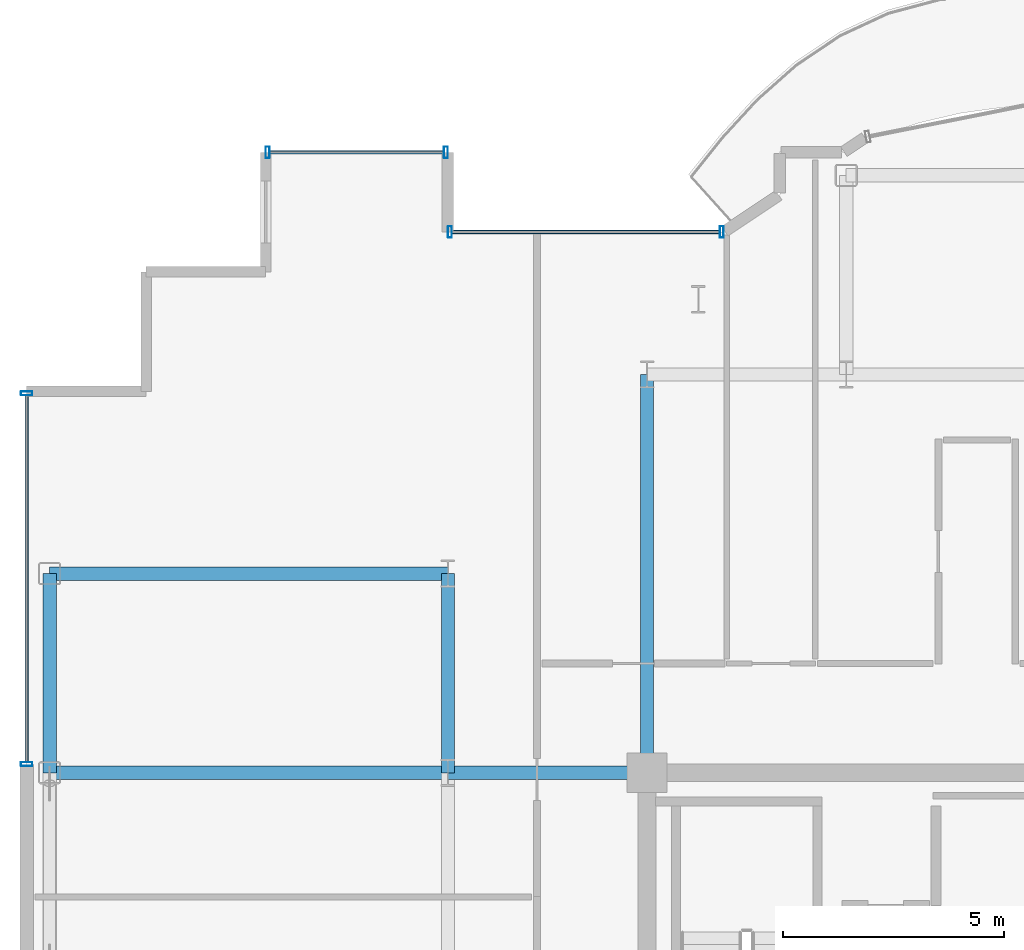
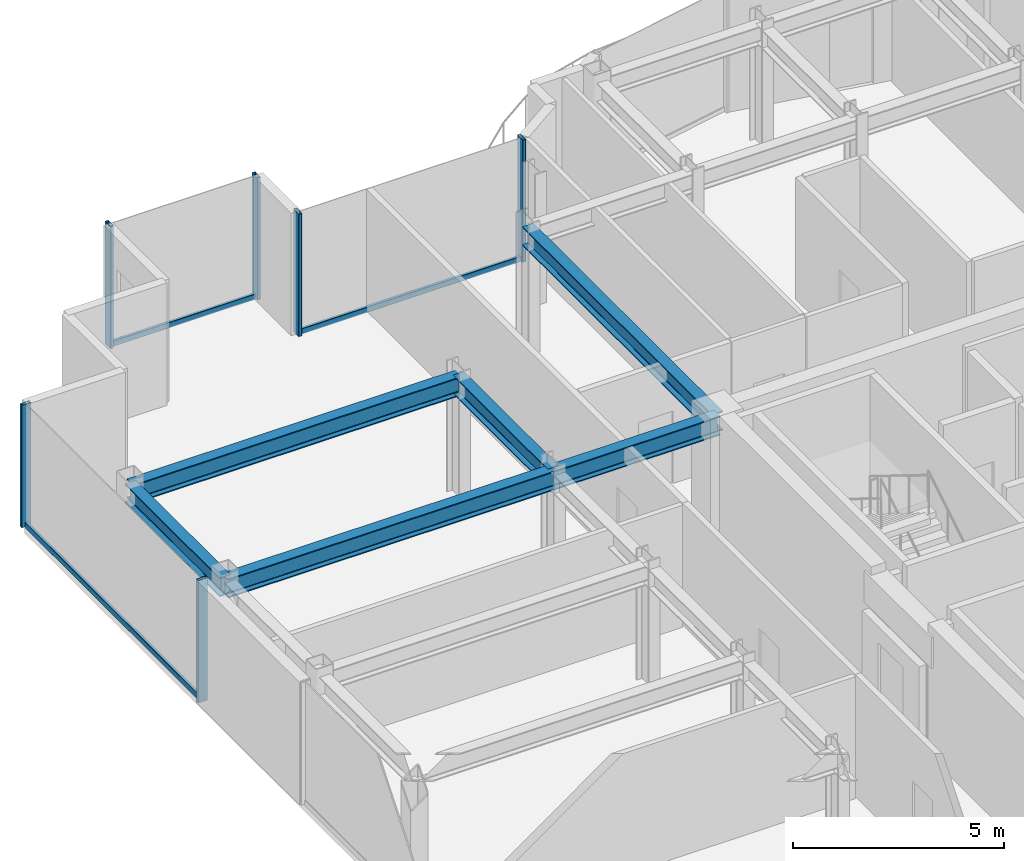
# One storey, part 7 of 16: 9 members, 6 beams, 3 elements without a shape of their own.
"""IFC4 building model written with IfcOpenShell, lengths in metres."""

from ifc_helpers import new_model, si_unit, direction, frame, origin, origin_2d, place, context, subcontext, project, spatial, hollow_rectangle, i_section, extrude, source, transform, mapped, material, layer, layer_set, material_profile, profile_set, type_object, element, aggregate, save


model = new_model("IFC4")

# Units and contexts
model_context = context("Model", 3, precision=1e-05, world=origin(), true_north=direction((0.0, 1.0)))
body_context = subcontext(model_context, "Body", "Model", "MODEL_VIEW")
ifc_project = project(units=[si_unit("LENGTHUNIT", "METRE"), si_unit("AREAUNIT", "SQUARE_METRE"), si_unit("VOLUMEUNIT", "CUBIC_METRE"), si_unit("PLANEANGLEUNIT", "RADIAN"), si_unit("MASSUNIT", "GRAM", prefix="KILO")], contexts=[model_context])

# Site, building, storey
site_placement = place(None, origin())
site = spatial("IfcSite", under=ifc_project, at=site_placement, CompositionType="ELEMENT")
building_placement = place(site_placement, origin())
building = spatial("IfcBuilding", under=site, at=building_placement, Name="Nefas-Gora Pilgrimage Tower", CompositionType="ELEMENT")
storey_placement = place(building_placement, frame((0.0, 0.0, 322.39990234375)))
storey = spatial("IfcBuildingStorey", under=building, at=storey_placement, Name="L81", CompositionType="ELEMENT", Elevation=322.39990234375)

# Beams
ifc_material_1 = material(Name="Steel S355", Category="steel")
ifc_material_profile_1 = material_profile(ifc_material_1, i_section(OverallWidth=0.300048828125, OverallDepth=0.550048828125, WebThickness=0.014892578125, FlangeThickness=0.029052734375, FilletRadius=0.027099609375, at=origin_2d()), Name="HEB 550")
ifc_profile_set_1 = profile_set([ifc_material_profile_1], Name="Steel S355")
beam_type_1 = type_object("IfcBeamType", Name="BM-SPN-HEB400", PredefinedType="SPANDREL", material=ifc_profile_set_1)
shared_shape_1 = source(origin(), body_context, "Body", "SweptSolid", [
    extrude(i_section(OverallWidth=0.300048828125, OverallDepth=0.550048828125, WebThickness=0.014892578125, FlangeThickness=0.029052734375, FilletRadius=0.027099609375, at=origin_2d()), origin(), (0.0, 0.0, 1.0), 4.5),
])
beam_placement = place(storey_placement, frame((-24.75, 9.0, 3.275146484375), z_axis=(0.0, 1.0, 0.0), x_axis=(-1.0, 0.0, 0.0)))
element("IfcBeam", 1, at=beam_placement, inside=storey, type_object=beam_type_1, Name="L81 SP-04 beam", PredefinedType="SPANDREL", context=body_context, shape_type="MappedRepresentation", body=[
    mapped(shared_shape_1, transform((0.0, 0.0, 0.0), x_axis=(1.0, 0.0, 0.0), y_axis=(0.0, 1.0, 0.0), z_axis=(0.0, 0.0, 1.0), scale=1.0)),
])
ifc_material_profile_2 = material_profile(ifc_material_1, i_section(OverallWidth=0.300048828125, OverallDepth=0.550048828125, WebThickness=0.014892578125, FlangeThickness=0.029052734375, FilletRadius=0.027099609375, at=origin_2d()), Name="HEB 550")
ifc_profile_set_2 = profile_set([ifc_material_profile_2], Name="Steel S355")
beam_type_2 = type_object("IfcBeamType", Name="BM-GIR-HEB550", PredefinedType="BEAM", material=ifc_profile_set_2)
shared_shape_2 = source(origin(), body_context, "Body", "SweptSolid", [
    extrude(i_section(OverallWidth=0.300048828125, OverallDepth=0.550048828125, WebThickness=0.014892578125, FlangeThickness=0.029052734375, FilletRadius=0.027099609375, at=origin_2d()), origin(), (0.0, 0.0, 1.0), 9.0),
])
for number, where, z_axis, x_axis, name in (
    (2, (-24.75, 9.0, 3.275146484375), (1.0, 0.0, 0.0), (0.0, 1.0, 0.0), "L81 G-05 beam"),
    (3, (-24.75, 13.5, 3.275146484375), (1.0, 0.0, 0.0), (0.0, 1.0, 0.0), "L81 G-05 beam"),
    (4, (-11.25, 9.0, 3.275146484375), (0.0, 1.0, 0.0), (-1.0, 0.0, 0.0), "L81 G-05 beam"),
):
    element("IfcBeam", number, at=place(storey_placement, frame(where, z_axis=z_axis, x_axis=x_axis)), inside=storey, type_object=beam_type_2, Name=name, PredefinedType="BEAM", context=body_context, shape_type="MappedRepresentation", body=[
        mapped(shared_shape_2, transform((0.0, 0.0, 0.0), x_axis=(1.0, 0.0, 0.0), y_axis=(0.0, 1.0, 0.0), z_axis=(0.0, 0.0, 1.0), scale=1.0)),
    ])
shared_shape_3 = source(origin(), body_context, "Body", "SweptSolid", [
    extrude(i_section(OverallWidth=0.300048828125, OverallDepth=0.550048828125, WebThickness=0.014892578125, FlangeThickness=0.029052734375, FilletRadius=0.027099609375, at=origin_2d()), origin(), (0.0, 0.0, 1.0), 4.5),
])
for number, where, z_axis, x_axis, name in (
    (5, (-15.75, 9.0, 3.275146484375), (0.0, 1.0, 0.0), (-1.0, 0.0, 0.0), "L81 G-05 beam"),
    (6, (-15.75, 9.0, 3.275146484375), (1.0, 0.0, 0.0), (0.0, 1.0, 0.0), "L81 G-05 beam"),
):
    element("IfcBeam", number, at=place(storey_placement, frame(where, z_axis=z_axis, x_axis=x_axis)), inside=storey, type_object=beam_type_2, Name=name, PredefinedType="BEAM", context=body_context, shape_type="MappedRepresentation", body=[
        mapped(shared_shape_3, transform((0.0, 0.0, 0.0), x_axis=(1.0, 0.0, 0.0), y_axis=(0.0, 1.0, 0.0), z_axis=(0.0, 0.0, 1.0), scale=1.0)),
    ])

# Curtain wall, members
ifc_material_2 = material(Name="Dark ceramic-fritted solar-control aluminium-glass curtain wall", Category="aluminium")
ifc_layer_1 = layer(ifc_material_2, 0.219970703125)
ifc_layer_set_1 = layer_set([ifc_layer_1], Name="Dark ceramic-fritted solar-control aluminium-glass curtain wall")
curtain_wall_type_1 = type_object("IfcCurtainWallType", Name="CW-SYS-5", PredefinedType="NOTDEFINED", material=ifc_layer_set_1)
curtain_wall_1_placement = place(storey_placement, origin())
curtain_wall_1 = element("IfcCurtainWall", 7, at=curtain_wall_1_placement, inside=storey, type_object=curtain_wall_type_1, Name="L81 Unitised Curtain Wall CW5", PredefinedType="NOTDEFINED")
ifc_material_3 = material(Name="Anodised architectural aluminium", Category="aluminium")
ifc_material_profile_3 = material_profile(ifc_material_3, hollow_rectangle(XDim=0.090087890625, YDim=0.260009765625, WallThickness=0.006103515625, InnerFilletRadius=0.006103515625, OuterFilletRadius=0.011962890625, at=origin_2d()), Name="ALU MULLION 90x260")
ifc_profile_set_3 = profile_set([ifc_material_profile_3], Name="Anodised architectural aluminium")
member_type_1 = type_object("IfcMemberType", Name="CWM-MUL-5", PredefinedType="MULLION", material=ifc_profile_set_3)
shared_shape_4 = source(origin(), body_context, "Body", "SweptSolid", [
    extrude(hollow_rectangle(XDim=0.090087890625, YDim=0.260009765625, WallThickness=0.006103515625, InnerFilletRadius=0.006103515625, OuterFilletRadius=0.011962890625, at=origin_2d()), origin(), (0.0, 0.0, 1.0), 3.550048828125),
])
member_1_placement = place(storey_placement, frame((-9.56298828125, 21.219970703125, 0.0), z_axis=(0.0, 0.0, 1.0), x_axis=(-1.0, 0.0, 0.0)))
member_1 = element("IfcMember", 8, at=member_1_placement, type_object=member_type_1, Name="CW5 Mullion 1", PredefinedType="MULLION", context=body_context, shape_type="MappedRepresentation", body=[
    mapped(shared_shape_4, transform((0.0, 0.0, 0.0), x_axis=(1.0, 0.0, 0.0), y_axis=(0.0, 1.0, 0.0), z_axis=(0.0, 0.0, 1.0), scale=1.0)),
])
member_2_placement = place(storey_placement, frame((-15.705078125, 21.219970703125, 0.0), z_axis=(0.0, 0.0, 1.0), x_axis=(-1.0, 0.0, 0.0)))
member_2 = element("IfcMember", 9, at=member_2_placement, type_object=member_type_1, Name="CW5 Mullion 2", PredefinedType="MULLION", context=body_context, shape_type="MappedRepresentation", body=[
    mapped(shared_shape_4, transform((0.0, 0.0, 0.0), x_axis=(1.0, 0.0, 0.0), y_axis=(0.0, 1.0, 0.0), z_axis=(0.0, 0.0, 1.0), scale=1.0)),
])
ifc_material_profile_4 = material_profile(ifc_material_3, hollow_rectangle(XDim=0.080078125, YDim=0.159912109375, WallThickness=0.00439453125, InnerFilletRadius=0.00439453125, OuterFilletRadius=0.009033203125, at=origin_2d()), Name="ALU TRANSOM 80x160")
ifc_profile_set_4 = profile_set([ifc_material_profile_4], Name="Anodised architectural aluminium")
member_type_2 = type_object("IfcMemberType", Name="CWM-TRN-5", PredefinedType="USERDEFINED", material=ifc_profile_set_4)
shared_shape_5 = source(origin(), body_context, "Body", "SweptSolid", [
    extrude(hollow_rectangle(XDim=0.080078125, YDim=0.159912109375, WallThickness=0.00439453125, InnerFilletRadius=0.00439453125, OuterFilletRadius=0.009033203125, at=origin_2d()), origin(), (0.0, 0.0, 1.0), 6.052001953125),
])
member_3_placement = place(storey_placement, frame((-9.60791015625, 21.219970703125, 0.050048828125), z_axis=(-1.0, 0.0, 0.0), x_axis=(0.0, -1.0, 0.0)))
member_3 = element("IfcMember", 10, at=member_3_placement, type_object=member_type_2, Name="CW5 Spandrel Transom", ObjectType="TRANSOM", PredefinedType="USERDEFINED", context=body_context, shape_type="MappedRepresentation", body=[
    mapped(shared_shape_5, transform((0.0, 0.0, 0.0), x_axis=(1.0, 0.0, 0.0), y_axis=(0.0, 1.0, 0.0), z_axis=(0.0, 0.0, 1.0), scale=1.0)),
])
aggregate(curtain_wall_1, [member_1, member_2, member_3])

# Curtain wall, member
ifc_layer_2 = layer(ifc_material_2, 0.219970703125)
ifc_layer_set_2 = layer_set([ifc_layer_2], Name="Dark ceramic-fritted solar-control aluminium-glass curtain wall")
curtain_wall_type_2 = type_object("IfcCurtainWallType", Name="CW-SYS-4", PredefinedType="NOTDEFINED", material=ifc_layer_set_2)
curtain_wall_2_placement = place(storey_placement, origin())
curtain_wall_2 = element("IfcCurtainWall", 11, at=curtain_wall_2_placement, inside=storey, type_object=curtain_wall_type_2, Name="L81 Unitised Curtain Wall CW4", PredefinedType="NOTDEFINED")
ifc_material_profile_5 = material_profile(ifc_material_3, hollow_rectangle(XDim=0.080078125, YDim=0.159912109375, WallThickness=0.00439453125, InnerFilletRadius=0.00439453125, OuterFilletRadius=0.009033203125, at=origin_2d()), Name="ALU TRANSOM 80x160")
ifc_profile_set_5 = profile_set([ifc_material_profile_5], Name="Anodised architectural aluminium")
member_type_3 = type_object("IfcMemberType", Name="CWM-TRN-4", PredefinedType="USERDEFINED", material=ifc_profile_set_5)
shared_shape_6 = source(origin(), body_context, "Body", "SweptSolid", [
    extrude(hollow_rectangle(XDim=0.080078125, YDim=0.159912109375, WallThickness=0.00439453125, InnerFilletRadius=0.00439453125, OuterFilletRadius=0.009033203125, at=origin_2d()), origin(), (0.0, 0.0, 1.0), 8.2900390625),
])
member_4_placement = place(storey_placement, frame((-25.27001953125, 17.530029296875, 0.050048828125), z_axis=(0.0, -1.0, 0.0), x_axis=(1.0, 0.0, 0.0)))
member_4 = element("IfcMember", 12, at=member_4_placement, type_object=member_type_3, Name="CW4 Spandrel Transom", ObjectType="TRANSOM", PredefinedType="USERDEFINED", context=body_context, shape_type="MappedRepresentation", body=[
    mapped(shared_shape_6, transform((0.0, 0.0, 0.0), x_axis=(1.0, 0.0, 0.0), y_axis=(0.0, 1.0, 0.0), z_axis=(0.0, 0.0, 1.0), scale=1.0)),
])

# Curtain wall, members
curtain_wall_3_placement = place(storey_placement, origin())
curtain_wall_3 = element("IfcCurtainWall", 13, at=curtain_wall_3_placement, inside=storey, type_object=curtain_wall_type_2, Name="L81 Unitised Curtain Wall CW4", PredefinedType="NOTDEFINED")
shared_shape_7 = source(origin(), body_context, "Body", "SweptSolid", [
    extrude(hollow_rectangle(XDim=0.080078125, YDim=0.159912109375, WallThickness=0.00439453125, InnerFilletRadius=0.00439453125, OuterFilletRadius=0.009033203125, at=origin_2d()), origin(), (0.0, 0.0, 1.0), 3.93994140625),
])
member_5_placement = place(storey_placement, frame((-15.840087890625, 23.02001953125, 0.050048828125), z_axis=(-1.0, 0.0, 0.0), x_axis=(0.0, -1.0, 0.0)))
member_5 = element("IfcMember", 14, at=member_5_placement, type_object=member_type_3, Name="CW4 Spandrel Transom", ObjectType="TRANSOM", PredefinedType="USERDEFINED", context=body_context, shape_type="MappedRepresentation", body=[
    mapped(shared_shape_7, transform((0.0, 0.0, 0.0), x_axis=(1.0, 0.0, 0.0), y_axis=(0.0, 1.0, 0.0), z_axis=(0.0, 0.0, 1.0), scale=1.0)),
])
ifc_material_profile_6 = material_profile(ifc_material_3, hollow_rectangle(XDim=0.090087890625, YDim=0.260009765625, WallThickness=0.006103515625, InnerFilletRadius=0.006103515625, OuterFilletRadius=0.011962890625, at=origin_2d()), Name="ALU MULLION 90x260")
ifc_profile_set_6 = profile_set([ifc_material_profile_6], Name="Anodised architectural aluminium")
member_type_4 = type_object("IfcMemberType", Name="CWM-MUL-4", PredefinedType="MULLION", material=ifc_profile_set_6)
shared_shape_8 = source(origin(), body_context, "Body", "SweptSolid", [
    extrude(hollow_rectangle(XDim=0.090087890625, YDim=0.260009765625, WallThickness=0.006103515625, InnerFilletRadius=0.006103515625, OuterFilletRadius=0.011962890625, at=origin_2d()), origin(), (0.0, 0.0, 1.0), 3.550048828125),
])
member_6_placement = place(storey_placement, frame((-15.794921875, 23.02001953125, 0.0), z_axis=(0.0, 0.0, 1.0), x_axis=(-1.0, 0.0, 0.0)))
member_6 = element("IfcMember", 15, at=member_6_placement, type_object=member_type_4, Name="CW4 Mullion 1", PredefinedType="MULLION", context=body_context, shape_type="MappedRepresentation", body=[
    mapped(shared_shape_8, transform((0.0, 0.0, 0.0), x_axis=(1.0, 0.0, 0.0), y_axis=(0.0, 1.0, 0.0), z_axis=(0.0, 0.0, 1.0), scale=1.0)),
])
member_7_placement = place(storey_placement, frame((-19.824951171875, 23.02001953125, 0.0), z_axis=(0.0, 0.0, 1.0), x_axis=(-1.0, 0.0, 0.0)))
member_7 = element("IfcMember", 16, at=member_7_placement, type_object=member_type_4, Name="CW4 Mullion 2", PredefinedType="MULLION", context=body_context, shape_type="MappedRepresentation", body=[
    mapped(shared_shape_8, transform((0.0, 0.0, 0.0), x_axis=(1.0, 0.0, 0.0), y_axis=(0.0, 1.0, 0.0), z_axis=(0.0, 0.0, 1.0), scale=1.0)),
])
aggregate(curtain_wall_3, [member_6, member_7, member_5])

# Member
member_8_placement = place(storey_placement, frame((-25.27001953125, 17.574951171875, 0.0), z_axis=(0.0, 0.0, 1.0), x_axis=(0.0, -1.0, 0.0)))
member_8 = element("IfcMember", 17, at=member_8_placement, type_object=member_type_4, Name="CW4 Mullion 1", PredefinedType="MULLION", context=body_context, shape_type="MappedRepresentation", body=[
    mapped(shared_shape_8, transform((0.0, 0.0, 0.0), x_axis=(1.0, 0.0, 0.0), y_axis=(0.0, 1.0, 0.0), z_axis=(0.0, 0.0, 1.0), scale=1.0)),
])

member_9_placement = place(storey_placement, frame((-25.27001953125, 9.195068359375, 0.0), z_axis=(0.0, 0.0, 1.0), x_axis=(0.0, -1.0, 0.0)))
member_9 = element("IfcMember", 18, at=member_9_placement, type_object=member_type_4, Name="CW4 Mullion 2", PredefinedType="MULLION", context=body_context, shape_type="MappedRepresentation", body=[
    mapped(shared_shape_8, transform((0.0, 0.0, 0.0), x_axis=(1.0, 0.0, 0.0), y_axis=(0.0, 1.0, 0.0), z_axis=(0.0, 0.0, 1.0), scale=1.0)),
])

aggregate(curtain_wall_2, [member_8, member_9, member_4])

save(model, "model.ifc")
